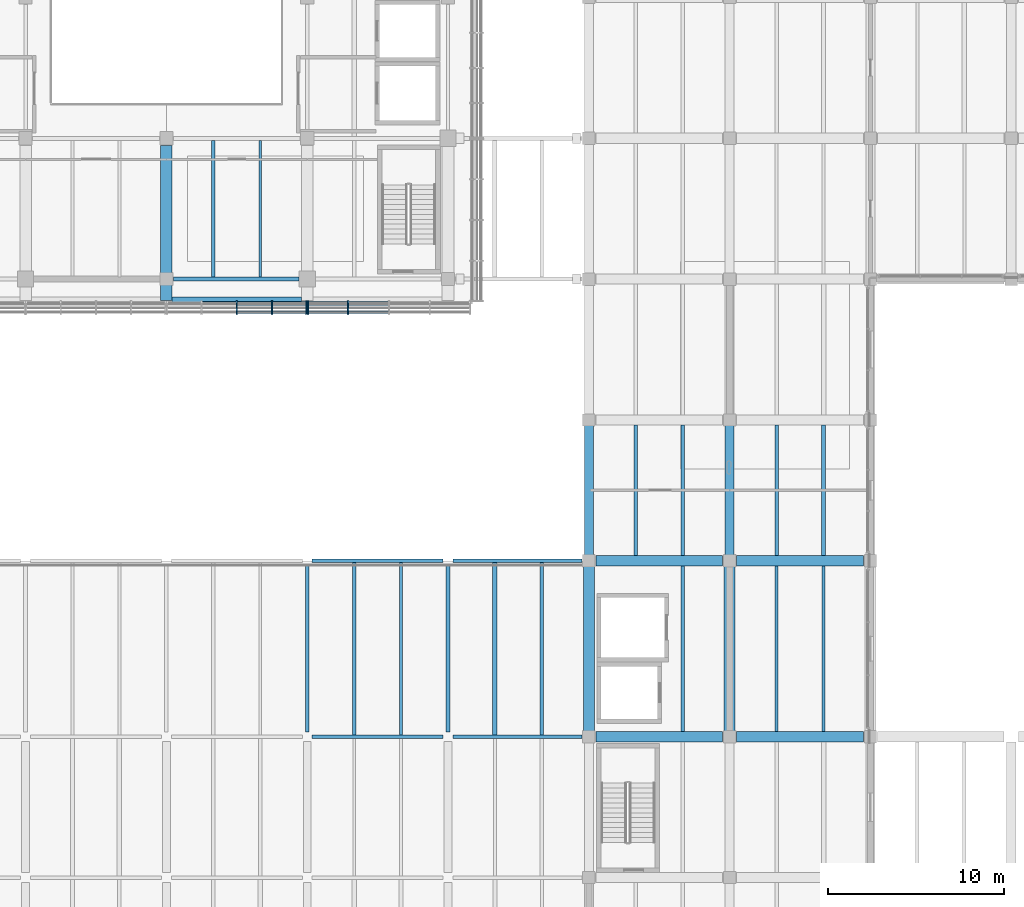
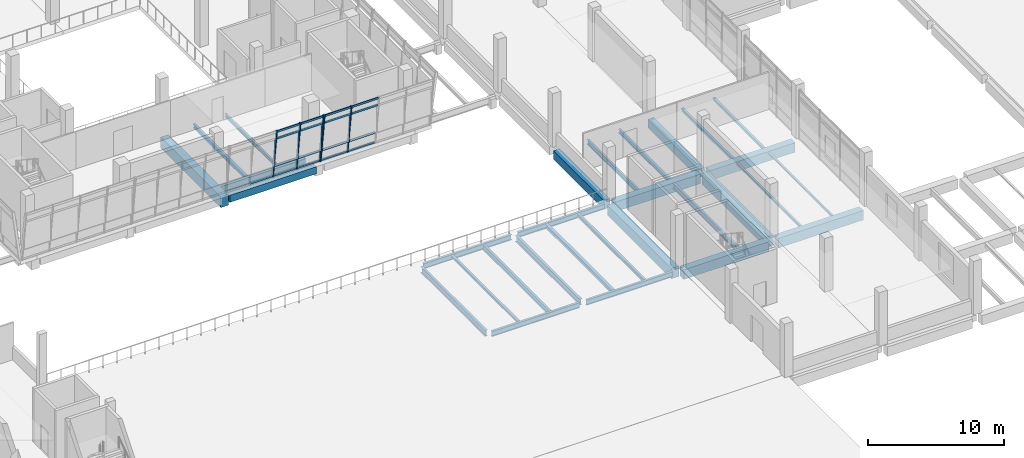
# One storey, part 11 of 52: 30 beams, 22 members, 2 elements without a shape of their own.
"""IFC4 building model written with IfcOpenShell, lengths in metres."""

import ifcopenshell
import ifcopenshell.guid

model = None  # the IFC model being written
_history = None  # IfcOwnerHistory: only IFC2X3 demands one
_inside = {}  # id of a spatial element -> (the spatial element, [elements in it])
_under = {}  # id of a project, library or spatial element -> (it, [spatial elements below it])
_declared = {}  # id of a project -> (the project, [libraries it declares])
_typed = {}  # id of a type object -> (the type object, [elements of that type])
_made_of = {}  # id of a material, layer set ... -> (it, [elements and type objects made of it])


def new_model(schema):
    """Start an empty IFC model of exactly this schema.

    Asked for "IFC4X3", IfcOpenShell would pick the latest addendum, in which some entities
    have other attributes; the version numbers below select the first issue.
    IFC2X3 requires an IfcOwnerHistory on every rooted entity: one is made here for all.
    """
    global model, _history
    if schema == "IFC4X3":
        model = ifcopenshell.file(schema_version=(4, 3, 0, 0))
    else:
        model = ifcopenshell.file(schema=schema)
    _inside.clear()
    _under.clear()
    _declared.clear()
    _typed.clear()
    _made_of.clear()
    _history = None
    if model.schema == "IFC2X3":
        org = make("IfcOrganization", Name="unknown")
        user = make(
            "IfcPersonAndOrganization",
            ThePerson=make("IfcPerson", FamilyName="unknown"),
            TheOrganization=org,
        )
        app = make(
            "IfcApplication",
            ApplicationDeveloper=org,
            Version="unknown",
            ApplicationFullName="unknown",
            ApplicationIdentifier="unknown",
        )
        _history = make(
            "IfcOwnerHistory",
            OwningUser=user,
            OwningApplication=app,
            ChangeAction="ADDED",
            CreationDate=0,
        )
    return model


def make(cls, **values):
    """One entity of the class cls with the attributes given. An attribute that is None is left unset."""
    return model.create_entity(
        cls, **{name: value for name, value in values.items() if value is not None}
    )


def rooted(cls, **values):
    """An entity with a GlobalId (a new one), such as an element, a storey or a relation."""
    return make(cls, GlobalId=ifcopenshell.guid.new(), OwnerHistory=_history, **values)


def si_unit(unit_type, name, prefix=None):
    """IfcSIUnit, for example si_unit("LENGTHUNIT", "METRE", prefix="MILLI")."""
    return make("IfcSIUnit", UnitType=unit_type, Prefix=prefix, Name=name)


def assignment(units):
    """IfcUnitAssignment: the units of a project."""
    return None if units is None else make("IfcUnitAssignment", Units=units)


def point(xyz):
    """IfcCartesianPoint."""
    return None if xyz is None else make("IfcCartesianPoint", Coordinates=xyz)


def direction(xyz):
    """IfcDirection."""
    return None if xyz is None else make("IfcDirection", DirectionRatios=xyz)


def frame(location, z_axis=None, x_axis=None):
    """IfcAxis2Placement3D, a coordinate frame: its origin and axes. An axis left out is left unset."""
    return make(
        "IfcAxis2Placement3D",
        Location=point(location),
        Axis=direction(z_axis),
        RefDirection=direction(x_axis),
    )


def frame_2d(location, x_axis=None):
    """IfcAxis2Placement2D, a coordinate frame in the plane: its origin and x axis."""
    return make(
        "IfcAxis2Placement2D", Location=point(location), RefDirection=direction(x_axis)
    )


def origin():
    """The frame at (0, 0, 0) with its axes left unset."""
    return frame((0.0, 0.0, 0.0))


def origin_2d():
    """The frame at (0, 0) in the plane with its x axis left unset."""
    return frame_2d((0.0, 0.0))


def place(relative_to, where):
    """IfcLocalPlacement: puts the frame where relative to a parent placement (None: the world)."""
    return make(
        "IfcLocalPlacement", PlacementRelTo=relative_to, RelativePlacement=where
    )


def context(
    kind, dimensions, precision=None, world=None, true_north=None, identifier=None
):
    """IfcGeometricRepresentationContext, for example the 3D "Model" context."""
    return make(
        "IfcGeometricRepresentationContext",
        ContextIdentifier=identifier,
        ContextType=kind,
        CoordinateSpaceDimension=dimensions,
        Precision=precision,
        WorldCoordinateSystem=world,
        TrueNorth=true_north,
    )


def subcontext(parent, identifier, kind, view, scale=None):
    """IfcGeometricRepresentationSubContext, for example "Body" below "Model"."""
    return make(
        "IfcGeometricRepresentationSubContext",
        ContextIdentifier=identifier,
        ContextType=kind,
        ParentContext=parent,
        TargetScale=scale,
        TargetView=view,
    )


def project(units=None, contexts=None):
    """IfcProject with its units and contexts."""
    return rooted(
        "IfcProject",
        Name="project",
        RepresentationContexts=contexts,
        UnitsInContext=assignment(units),
    )


def spatial(cls, under=None, at=None, **own):
    """A site, building, storey or space (cls), placed at a placement, below another one or the project."""
    s = rooted(cls, ObjectPlacement=at, **own)
    if under is not None:
        _under.setdefault(under.id(), (under, []))[1].append(s)
    return s


def profile(cls, at=None, kind="AREA", **sizes):
    """A parametric profile (cls). Its sizes go by their IFC names, for example OverallWidth=200.0."""
    return make(cls, ProfileType=kind, Position=at, **sizes)


def rectangle(**sizes):
    """IfcRectangleProfileDef."""
    return profile("IfcRectangleProfileDef", **sizes)


def i_section(**sizes):
    """IfcIShapeProfileDef."""
    return profile("IfcIShapeProfileDef", **sizes)


def extrude(swept, where, along, depth):
    """IfcExtrudedAreaSolid: the profile swept, set in the frame where, extruded along a direction by depth."""
    return make(
        "IfcExtrudedAreaSolid",
        SweptArea=swept,
        Position=where,
        ExtrudedDirection=direction(along),
        Depth=depth,
    )


def shape(context_of_items, identifier, shape_type, items):
    """IfcShapeRepresentation: the items that make up one representation, for example the "Body"."""
    return make(
        "IfcShapeRepresentation",
        ContextOfItems=context_of_items,
        RepresentationIdentifier=identifier,
        RepresentationType=shape_type,
        Items=items,
    )


def material(Name=None, Category=None):
    """IfcMaterial."""
    return make("IfcMaterial", Name=Name, Category=Category)


def material_profile(
    of_material, cross_section, Name=None, Category=None, Priority=None
):
    """IfcMaterialProfile: a cross section and its material."""
    return make(
        "IfcMaterialProfile",
        Name=Name,
        Material=of_material,
        Profile=cross_section,
        Priority=Priority,
        Category=Category,
    )


def profile_set(profiles, Name=None, composite=None):
    """IfcMaterialProfileSet."""
    return make(
        "IfcMaterialProfileSet",
        Name=Name,
        MaterialProfiles=profiles,
        CompositeProfile=composite,
    )


def made_of(thing, what):
    """Note that an element or type object is made of a material, layer set ...; save() writes the relation."""
    if what is not None:
        _made_of.setdefault(what.id(), (what, []))[1].append(thing)
    return thing


def type_object(cls, material=None, **own):
    """A type object (cls), such as IfcWallType, which elements share."""
    return made_of(rooted(cls, **own), material)


def element(
    cls,
    number,
    at=None,
    inside=None,
    cuts=None,
    type_object=None,
    material=None,
    context=None,
    identifier="Body",
    shape_type=None,
    held_by="IfcProductDefinitionShape",
    body=None,
    shapes=None,
    **own,
):
    """One element of the class cls, such as IfcWall. Its Tag is "e" and its number.

    at: its placement. inside: the storey or other place that contains it. cuts: it is an
    opening in that element (IfcRelVoidsElement). A single representation is given by context,
    identifier, shape_type and body (its items); several are given by shapes. held_by: the class
    of the entity that holds the representations. save() writes the other relations.
    """
    e = rooted(cls, Tag="e%d" % number, ObjectPlacement=at, **own)
    if body is not None:
        shapes = [shape(context, identifier, shape_type, body)]
    if shapes is not None:
        e.Representation = make(held_by, Representations=shapes)
    if inside is not None:
        _inside.setdefault(inside.id(), (inside, []))[1].append(e)
    if cuts is not None:
        rooted(
            "IfcRelVoidsElement", RelatingBuildingElement=cuts, RelatedOpeningElement=e
        )
    if type_object is not None:
        _typed.setdefault(type_object.id(), (type_object, []))[1].append(e)
    return made_of(e, material)


def aggregate(whole, parts):
    """IfcRelAggregates: a whole, such as a stair, and the parts it consists of."""
    return rooted("IfcRelAggregates", RelatingObject=whole, RelatedObjects=parts)


def save(model, path):
    """Write the relations noted so far, then the file.

    IfcRelAggregates (storeys below a building ...), IfcRelContainedInSpatialStructure (elements
    in a storey), IfcRelDefinesByType, IfcRelAssociatesMaterial and IfcRelDeclares: one each for
    every whole, place, type object, material and project.
    """
    for whole, parts in _under.values():
        aggregate(whole, parts)
    for where, things in _inside.values():
        rooted(
            "IfcRelContainedInSpatialStructure",
            RelatedElements=things,
            RelatingStructure=where,
        )
    for kind, things in _typed.values():
        rooted("IfcRelDefinesByType", RelatedObjects=things, RelatingType=kind)
    for what, things in _made_of.values():
        rooted("IfcRelAssociatesMaterial", RelatedObjects=things, RelatingMaterial=what)
    for by, libraries in _declared.values():
        rooted("IfcRelDeclares", RelatingContext=by, RelatedDefinitions=libraries)
    model.write(path)


model = new_model("IFC4")

# Units and contexts
model_context = context("Model", 3, precision=1e-05, world=origin(), true_north=direction((0.0, 1.0)))
body_context = subcontext(model_context, "Body", "Model", "MODEL_VIEW")
ifc_project = project(units=[si_unit("LENGTHUNIT", "METRE"), si_unit("AREAUNIT", "SQUARE_METRE"), si_unit("VOLUMEUNIT", "CUBIC_METRE"), si_unit("PLANEANGLEUNIT", "RADIAN"), si_unit("MASSUNIT", "GRAM", prefix="KILO")], contexts=[model_context])

# Site, building, storey
site_placement = place(None, origin())
site = spatial("IfcSite", under=ifc_project, at=site_placement, CompositionType="ELEMENT")
building_placement = place(site_placement, origin())
building = spatial("IfcBuilding", under=site, at=building_placement, Name="Pecanmere Concourse Central Library", CompositionType="ELEMENT")
storey_placement = place(building_placement, frame((0.0, 0.0, 10.5)))
storey = spatial("IfcBuildingStorey", under=building, at=storey_placement, Name="L03", CompositionType="ELEMENT", Elevation=10.5)

# Curtain wall, members
ifc_material_1 = material(Name="Anodized bronze aluminium alloy 6063-T6", Category="aluminium")
curtain_wall_type = type_object("IfcCurtainWallType", Name="CW_LEAN_BANDED", PredefinedType="USERDEFINED", material=ifc_material_1)
curtain_wall_1_placement = place(storey_placement, origin())
curtain_wall_1 = element("IfcCurtainWall", 1, at=curtain_wall_1_placement, inside=storey, type_object=curtain_wall_type, Name="Unitised Curtain Wall CW-01 L03-028", ObjectType="UNITISED CURTAIN WALL", PredefinedType="USERDEFINED")
ifc_material_2 = material(Name="Anodized bronze aluminium alloy 6063-T6", Category="aluminium")
ifc_material_profile_1 = material_profile(ifc_material_2, rectangle(XDim=0.074951171875, YDim=0.199951171875, at=origin_2d()), Name="AL 75x200")
ifc_profile_set_1 = profile_set([ifc_material_profile_1], Name="Anodized bronze aluminium alloy 6063-T6")
member_type_1 = type_object("IfcMemberType", Name="CWM_200x75", PredefinedType="MULLION", material=ifc_profile_set_1)
member_1_placement = place(storey_placement, frame((92.0, 88.678955078125, 0.0), z_axis=(0.0, -0.132234484848, 0.991218462811), x_axis=(1.0, 0.0, 0.0)))
member_1 = element("IfcMember", 2, at=member_1_placement, type_object=member_type_1, Name="CW-01 Mullion 3", PredefinedType="MULLION", context=body_context, shape_type="SweptSolid", body=[
    extrude(rectangle(XDim=0.074951171875, YDim=0.199951171875, at=origin_2d()), origin(), (0.0, 0.0, 1.0), 4.519775390625),
])
member_2_placement = place(storey_placement, frame((93.99755859375, 88.678955078125, 0.0), z_axis=(0.0, -0.132234484848, 0.991218462811), x_axis=(1.0, 0.0, 0.0)))
member_2 = element("IfcMember", 3, at=member_2_placement, type_object=member_type_1, Name="CW-01 Mullion 4", PredefinedType="MULLION", context=body_context, shape_type="SweptSolid", body=[
    extrude(rectangle(XDim=0.074951171875, YDim=0.199951171875, at=origin_2d()), origin(), (0.0, 0.0, 1.0), 4.519775390625),
])
member_3_placement = place(storey_placement, frame((95.95751953125, 88.678955078125, 0.0), z_axis=(0.0, -0.132234484848, 0.991218462811), x_axis=(1.0, 0.0, 0.0)))
member_3 = element("IfcMember", 4, at=member_3_placement, type_object=member_type_1, Name="CW-01 Mullion 5", PredefinedType="MULLION", context=body_context, shape_type="SweptSolid", body=[
    extrude(rectangle(XDim=0.074951171875, YDim=0.199951171875, at=origin_2d()), origin(), (0.0, 0.0, 1.0), 4.519775390625),
])

curtain_wall_2_placement = place(storey_placement, origin())
curtain_wall_2 = element("IfcCurtainWall", 5, at=curtain_wall_2_placement, inside=storey, type_object=curtain_wall_type, Name="Unitised Curtain Wall CW-01 L03-029", ObjectType="UNITISED CURTAIN WALL", PredefinedType="USERDEFINED")
member_4_placement = place(storey_placement, frame((96.04248046875, 88.678955078125, 0.0), z_axis=(0.0, -0.132234484848, 0.991218462811), x_axis=(1.0, 0.0, 0.0)))
member_4 = element("IfcMember", 6, at=member_4_placement, type_object=member_type_1, Name="CW-01 Mullion 1", PredefinedType="MULLION", context=body_context, shape_type="SweptSolid", body=[
    extrude(rectangle(XDim=0.074951171875, YDim=0.199951171875, at=origin_2d()), origin(), (0.0, 0.0, 1.0), 4.519775390625),
])
member_5_placement = place(storey_placement, frame((98.323974609375, 88.678955078125, 0.0), z_axis=(0.0, -0.132234484848, 0.991218462811), x_axis=(1.0, 0.0, 0.0)))
member_5 = element("IfcMember", 7, at=member_5_placement, type_object=member_type_1, Name="CW-01 Mullion 2", PredefinedType="MULLION", context=body_context, shape_type="SweptSolid", body=[
    extrude(rectangle(XDim=0.074951171875, YDim=0.199951171875, at=origin_2d()), origin(), (0.0, 0.0, 1.0), 4.519775390625),
])

# Member
ifc_material_3 = material(Name="Anodized bronze aluminium alloy 6063-T6", Category="aluminium")
ifc_material_profile_2 = material_profile(ifc_material_3, rectangle(XDim=0.06494140625, YDim=0.179931640625, at=origin_2d()), Name="AL 65x180")
ifc_profile_set_2 = profile_set([ifc_material_profile_2], Name="Anodized bronze aluminium alloy 6063-T6")
member_type_2 = type_object("IfcMemberType", Name="CWT_180x65", PredefinedType="USERDEFINED", material=ifc_profile_set_2)
member_6_placement = place(storey_placement, frame((90.0400390625, 88.6669921875, 0.090087890625), z_axis=(1.0, 0.0, 0.0), x_axis=(0.0, 1.0, 0.0)))
member_6 = element("IfcMember", 8, at=member_6_placement, type_object=member_type_2, Name="CW-01 Transom 2.1", ObjectType="TRANSOM", PredefinedType="USERDEFINED", context=body_context, shape_type="SweptSolid", body=[
    extrude(rectangle(XDim=0.06494140625, YDim=0.179931640625, at=origin_2d()), origin(), (0.0, 0.0, 1.0), 1.92236328125),
])

member_7_placement = place(storey_placement, frame((92.03759765625, 88.6669921875, 0.090087890625), z_axis=(1.0, 0.0, 0.0), x_axis=(0.0, 1.0, 0.0)))
member_7 = element("IfcMember", 9, at=member_7_placement, type_object=member_type_2, Name="CW-01 Transom 3.1", ObjectType="TRANSOM", PredefinedType="USERDEFINED", context=body_context, shape_type="SweptSolid", body=[
    extrude(rectangle(XDim=0.06494140625, YDim=0.179931640625, at=origin_2d()), origin(), (0.0, 0.0, 1.0), 1.92236328125),
])

member_8_placement = place(storey_placement, frame((92.03759765625, 88.538818359375, 1.050048828125), z_axis=(1.0, 0.0, 0.0), x_axis=(0.0, 1.0, 0.0)))
member_8 = element("IfcMember", 10, at=member_8_placement, type_object=member_type_2, Name="CW-01 Transom 3.2", ObjectType="TRANSOM", PredefinedType="USERDEFINED", context=body_context, shape_type="SweptSolid", body=[
    extrude(rectangle(XDim=0.06494140625, YDim=0.179931640625, at=origin_2d()), origin(), (0.0, 0.0, 1.0), 1.92236328125),
])

member_9_placement = place(storey_placement, frame((92.03759765625, 88.181396484375, 3.72998046875), z_axis=(1.0, 0.0, 0.0), x_axis=(0.0, 1.0, 0.0)))
member_9 = element("IfcMember", 11, at=member_9_placement, type_object=member_type_2, Name="CW-01 Transom 3.3", ObjectType="TRANSOM", PredefinedType="USERDEFINED", context=body_context, shape_type="SweptSolid", body=[
    extrude(rectangle(XDim=0.06494140625, YDim=0.179931640625, at=origin_2d()), origin(), (0.0, 0.0, 1.0), 1.92236328125),
])

member_10_placement = place(storey_placement, frame((92.03759765625, 88.09326171875, 4.389892578125), z_axis=(1.0, 0.0, 0.0), x_axis=(0.0, 1.0, 0.0)))
member_10 = element("IfcMember", 12, at=member_10_placement, type_object=member_type_2, Name="CW-01 Transom 3.4", ObjectType="TRANSOM", PredefinedType="USERDEFINED", context=body_context, shape_type="SweptSolid", body=[
    extrude(rectangle(XDim=0.06494140625, YDim=0.179931640625, at=origin_2d()), origin(), (0.0, 0.0, 1.0), 1.92236328125),
])

member_11_placement = place(storey_placement, frame((94.034912109375, 88.6669921875, 0.090087890625), z_axis=(1.0, 0.0, 0.0), x_axis=(0.0, 1.0, 0.0)))
member_11 = element("IfcMember", 13, at=member_11_placement, type_object=member_type_2, Name="CW-01 Transom 4.1", ObjectType="TRANSOM", PredefinedType="USERDEFINED", context=body_context, shape_type="SweptSolid", body=[
    extrude(rectangle(XDim=0.06494140625, YDim=0.179931640625, at=origin_2d()), origin(), (0.0, 0.0, 1.0), 1.885009765625),
])

member_12_placement = place(storey_placement, frame((94.034912109375, 88.538818359375, 1.050048828125), z_axis=(1.0, 0.0, 0.0), x_axis=(0.0, 1.0, 0.0)))
member_12 = element("IfcMember", 14, at=member_12_placement, type_object=member_type_2, Name="CW-01 Transom 4.2", ObjectType="TRANSOM", PredefinedType="USERDEFINED", context=body_context, shape_type="SweptSolid", body=[
    extrude(rectangle(XDim=0.06494140625, YDim=0.179931640625, at=origin_2d()), origin(), (0.0, 0.0, 1.0), 1.885009765625),
])

member_13_placement = place(storey_placement, frame((94.034912109375, 88.181396484375, 3.72998046875), z_axis=(1.0, 0.0, 0.0), x_axis=(0.0, 1.0, 0.0)))
member_13 = element("IfcMember", 15, at=member_13_placement, type_object=member_type_2, Name="CW-01 Transom 4.3", ObjectType="TRANSOM", PredefinedType="USERDEFINED", context=body_context, shape_type="SweptSolid", body=[
    extrude(rectangle(XDim=0.06494140625, YDim=0.179931640625, at=origin_2d()), origin(), (0.0, 0.0, 1.0), 1.885009765625),
])

member_14_placement = place(storey_placement, frame((94.034912109375, 88.09326171875, 4.389892578125), z_axis=(1.0, 0.0, 0.0), x_axis=(0.0, 1.0, 0.0)))
member_14 = element("IfcMember", 16, at=member_14_placement, type_object=member_type_2, Name="CW-01 Transom 4.4", ObjectType="TRANSOM", PredefinedType="USERDEFINED", context=body_context, shape_type="SweptSolid", body=[
    extrude(rectangle(XDim=0.06494140625, YDim=0.179931640625, at=origin_2d()), origin(), (0.0, 0.0, 1.0), 1.885009765625),
])

aggregate(curtain_wall_1, [member_1, member_2, member_3, member_6, member_7, member_8, member_9, member_10, member_11, member_12, member_13, member_14])

member_15_placement = place(storey_placement, frame((96.080078125, 88.6669921875, 0.090087890625), z_axis=(1.0, 0.0, 0.0), x_axis=(0.0, 1.0, 0.0)))
member_15 = element("IfcMember", 17, at=member_15_placement, type_object=member_type_2, Name="CW-01 Transom 1.1", ObjectType="TRANSOM", PredefinedType="USERDEFINED", context=body_context, shape_type="SweptSolid", body=[
    extrude(rectangle(XDim=0.06494140625, YDim=0.179931640625, at=origin_2d()), origin(), (0.0, 0.0, 1.0), 2.20654296875),
])

member_16_placement = place(storey_placement, frame((96.080078125, 88.538818359375, 1.050048828125), z_axis=(1.0, 0.0, 0.0), x_axis=(0.0, 1.0, 0.0)))
member_16 = element("IfcMember", 18, at=member_16_placement, type_object=member_type_2, Name="CW-01 Transom 1.2", ObjectType="TRANSOM", PredefinedType="USERDEFINED", context=body_context, shape_type="SweptSolid", body=[
    extrude(rectangle(XDim=0.06494140625, YDim=0.179931640625, at=origin_2d()), origin(), (0.0, 0.0, 1.0), 2.20654296875),
])

member_17_placement = place(storey_placement, frame((96.080078125, 88.181396484375, 3.72998046875), z_axis=(1.0, 0.0, 0.0), x_axis=(0.0, 1.0, 0.0)))
member_17 = element("IfcMember", 19, at=member_17_placement, type_object=member_type_2, Name="CW-01 Transom 1.3", ObjectType="TRANSOM", PredefinedType="USERDEFINED", context=body_context, shape_type="SweptSolid", body=[
    extrude(rectangle(XDim=0.06494140625, YDim=0.179931640625, at=origin_2d()), origin(), (0.0, 0.0, 1.0), 2.20654296875),
])

member_18_placement = place(storey_placement, frame((96.080078125, 88.09326171875, 4.389892578125), z_axis=(1.0, 0.0, 0.0), x_axis=(0.0, 1.0, 0.0)))
member_18 = element("IfcMember", 20, at=member_18_placement, type_object=member_type_2, Name="CW-01 Transom 1.4", ObjectType="TRANSOM", PredefinedType="USERDEFINED", context=body_context, shape_type="SweptSolid", body=[
    extrude(rectangle(XDim=0.06494140625, YDim=0.179931640625, at=origin_2d()), origin(), (0.0, 0.0, 1.0), 2.20654296875),
])

member_19_placement = place(storey_placement, frame((98.361572265625, 88.6669921875, 0.090087890625), z_axis=(1.0, 0.0, 0.0), x_axis=(0.0, 1.0, 0.0)))
member_19 = element("IfcMember", 21, at=member_19_placement, type_object=member_type_2, Name="CW-01 Transom 2.1", ObjectType="TRANSOM", PredefinedType="USERDEFINED", context=body_context, shape_type="SweptSolid", body=[
    extrude(rectangle(XDim=0.06494140625, YDim=0.179931640625, at=origin_2d()), origin(), (0.0, 0.0, 1.0), 2.243896484375),
])

member_20_placement = place(storey_placement, frame((98.361572265625, 88.538818359375, 1.050048828125), z_axis=(1.0, 0.0, 0.0), x_axis=(0.0, 1.0, 0.0)))
member_20 = element("IfcMember", 22, at=member_20_placement, type_object=member_type_2, Name="CW-01 Transom 2.2", ObjectType="TRANSOM", PredefinedType="USERDEFINED", context=body_context, shape_type="SweptSolid", body=[
    extrude(rectangle(XDim=0.06494140625, YDim=0.179931640625, at=origin_2d()), origin(), (0.0, 0.0, 1.0), 2.243896484375),
])

member_21_placement = place(storey_placement, frame((98.361572265625, 88.181396484375, 3.72998046875), z_axis=(1.0, 0.0, 0.0), x_axis=(0.0, 1.0, 0.0)))
member_21 = element("IfcMember", 23, at=member_21_placement, type_object=member_type_2, Name="CW-01 Transom 2.3", ObjectType="TRANSOM", PredefinedType="USERDEFINED", context=body_context, shape_type="SweptSolid", body=[
    extrude(rectangle(XDim=0.06494140625, YDim=0.179931640625, at=origin_2d()), origin(), (0.0, 0.0, 1.0), 2.243896484375),
])

member_22_placement = place(storey_placement, frame((98.361572265625, 88.09326171875, 4.389892578125), z_axis=(1.0, 0.0, 0.0), x_axis=(0.0, 1.0, 0.0)))
member_22 = element("IfcMember", 24, at=member_22_placement, type_object=member_type_2, Name="CW-01 Transom 2.4", ObjectType="TRANSOM", PredefinedType="USERDEFINED", context=body_context, shape_type="SweptSolid", body=[
    extrude(rectangle(XDim=0.06494140625, YDim=0.179931640625, at=origin_2d()), origin(), (0.0, 0.0, 1.0), 2.243896484375),
])

aggregate(curtain_wall_2, [member_4, member_5, member_15, member_16, member_17, member_18, member_19, member_20, member_21, member_22])

# Beams
ifc_material_4 = material(Name="Concrete C40/50", Category="concrete")
ifc_material_profile_3 = material_profile(ifc_material_4, rectangle(XDim=0.52001953125, YDim=0.77001953125, at=origin_2d()), Name="RC 520x770")
ifc_profile_set_3 = profile_set([ifc_material_profile_3], Name="Concrete C40/50")
beam_type_1 = type_object("IfcBeamType", Name="GRD_520x770", PredefinedType="USERDEFINED", material=ifc_profile_set_3)
for number, where, z_axis, x_axis, name in (
    (25, (112.0, 74.300048828125, -0.72509765625), (0.0, 1.0, 0.0), (-1.0, 0.0, 0.0), "Primary Girder Y L03-1771"),
    (26, (120.0, 74.300048828125, -0.72509765625), (0.0, 1.0, 0.0), (-1.0, 0.0, 0.0), "Primary Girder Y L03-1778"),
):
    element("IfcBeam", number, at=place(storey_placement, frame(where, z_axis=z_axis, x_axis=x_axis)), inside=storey, type_object=beam_type_1, Name=name, ObjectType="GIRDER", PredefinedType="USERDEFINED", context=body_context, shape_type="SweptSolid", body=[
        extrude(rectangle(XDim=0.52001953125, YDim=0.77001953125, at=origin_2d()), origin(), (0.0, 0.0, 1.0), 7.39990234375),
    ])
ifc_material_5 = material(Name="Concrete C40/50", Category="concrete")
ifc_material_profile_4 = material_profile(ifc_material_5, rectangle(XDim=0.580078125, YDim=0.860107421875, at=origin_2d()), Name="RC 580x860")
ifc_profile_set_4 = profile_set([ifc_material_profile_4], Name="Concrete C40/50")
beam_type_2 = type_object("IfcBeamType", Name="GRD_580x860", PredefinedType="USERDEFINED", material=ifc_profile_set_4)
for number, where, z_axis, x_axis, name in (
    (27, (112.39990234375, 64.0, -0.77001953125), (1.0, 0.0, 0.0), (0.0, 1.0, 0.0), "Primary Girder X L03-1583"),
    (28, (120.39990234375, 64.0, -0.77001953125), (1.0, 0.0, 0.0), (0.0, 1.0, 0.0), "Primary Girder X L03-1584"),
    (29, (112.39990234375, 74.0, -0.77001953125), (1.0, 0.0, 0.0), (0.0, 1.0, 0.0), "Primary Girder X L03-1597"),
    (30, (120.39990234375, 74.0, -0.77001953125), (1.0, 0.0, 0.0), (0.0, 1.0, 0.0), "Primary Girder X L03-1598"),
):
    element("IfcBeam", number, at=place(storey_placement, frame(where, z_axis=z_axis, x_axis=x_axis)), inside=storey, type_object=beam_type_2, Name=name, ObjectType="GIRDER", PredefinedType="USERDEFINED", context=body_context, shape_type="SweptSolid", body=[
        extrude(rectangle(XDim=0.580078125, YDim=0.860107421875, at=origin_2d()), origin(), (0.0, 0.0, 1.0), 7.2001953125),
    ])
ifc_material_6 = material(Name="Concrete C40/50", Category="concrete")
ifc_material_profile_5 = material_profile(ifc_material_6, rectangle(XDim=0.6201171875, YDim=0.919921875, at=origin_2d()), Name="RC 620x920")
ifc_profile_set_5 = profile_set([ifc_material_profile_5], Name="Concrete C40/50")
beam_type_3 = type_object("IfcBeamType", Name="GRD_620x920", PredefinedType="USERDEFINED", material=ifc_profile_set_5)
for number, where, z_axis, x_axis, name in (
    (31, (112.0, 64.300048828125, -0.800048828125), (0.0, 1.0, 0.0), (-1.0, 0.0, 0.0), "Primary Girder Y L03-1770"),
    (32, (120.0, 64.300048828125, -0.800048828125), (0.0, 1.0, 0.0), (-1.0, 0.0, 0.0), "Primary Girder Y L03-1777"),
):
    element("IfcBeam", number, at=place(storey_placement, frame(where, z_axis=z_axis, x_axis=x_axis)), inside=storey, type_object=beam_type_3, Name=name, ObjectType="GIRDER", PredefinedType="USERDEFINED", context=body_context, shape_type="SweptSolid", body=[
        extrude(rectangle(XDim=0.6201171875, YDim=0.919921875, at=origin_2d()), origin(), (0.0, 0.0, 1.0), 9.39990234375),
    ])
ifc_material_7 = material(Name="Concrete C40/50", Category="concrete")
ifc_material_profile_6 = material_profile(ifc_material_7, rectangle(XDim=0.659912109375, YDim=0.97998046875, at=origin_2d()), Name="RC 660x980")
ifc_profile_set_6 = profile_set([ifc_material_profile_6], Name="Concrete C40/50")
beam_type_4 = type_object("IfcBeamType", Name="GRD_660x980", PredefinedType="USERDEFINED", material=ifc_profile_set_6)
beam_1_placement = place(storey_placement, frame((88.0, 88.7890625, -0.830078125), z_axis=(0.0, 1.0, 0.0), x_axis=(-1.0, 0.0, 0.0)))
element("IfcBeam", 33, at=beam_1_placement, inside=storey, type_object=beam_type_4, Name="Primary Girder Y L03-1746", ObjectType="GIRDER", PredefinedType="USERDEFINED", context=body_context, shape_type="SweptSolid", body=[
    extrude(rectangle(XDim=0.659912109375, YDim=0.97998046875, at=origin_2d()), origin(), (0.0, 0.0, 1.0), 8.81103515625),
])
ifc_material_8 = material(Name="Structural steel ASTM A992 Grade 50", Category="steel")
ifc_material_profile_7 = material_profile(ifc_material_8, i_section(OverallWidth=0.152099609375, OverallDepth=0.152099609375, WebThickness=0.005859375, FlangeThickness=0.006591796875, at=origin_2d()), Name="W150x22.5")
ifc_profile_set_7 = profile_set([ifc_material_profile_7], Name="Structural steel ASTM A992 Grade 50")
beam_type_5 = type_object("IfcBeamType", Name="SBM_W150x22", PredefinedType="LINTEL", material=ifc_profile_set_7)
beam_2_placement = place(storey_placement, frame((125.333251953125, 64.2900390625, -0.416015625), z_axis=(0.0, 1.0, 0.0), x_axis=(-1.0, 0.0, 0.0)))
element("IfcBeam", 34, at=beam_2_placement, inside=storey, type_object=beam_type_5, Name="Secondary Floor Joist L03-2021", PredefinedType="LINTEL", context=body_context, shape_type="SweptSolid", body=[
    extrude(i_section(OverallWidth=0.152099609375, OverallDepth=0.152099609375, WebThickness=0.005859375, FlangeThickness=0.006591796875, at=origin_2d()), origin(), (0.0, 0.0, 1.0), 9.419921875),
])
ifc_material_9 = material(Name="Structural steel ASTM A992 Grade 50", Category="steel")
ifc_material_profile_8 = material_profile(ifc_material_9, i_section(OverallWidth=0.1650390625, OverallDepth=0.200927734375, WebThickness=0.006103515625, FlangeThickness=0.01025390625, at=origin_2d()), Name="W200x35.9")
ifc_profile_set_8 = profile_set([ifc_material_profile_8], Name="Structural steel ASTM A992 Grade 50")
beam_type_6 = type_object("IfcBeamType", Name="SBM_W200x36", PredefinedType="LINTEL", material=ifc_profile_set_8)
beam_3_placement = place(storey_placement, frame((122.666748046875, 64.2900390625, -0.4404296875), z_axis=(0.0, 1.0, 0.0), x_axis=(-1.0, 0.0, 0.0)))
element("IfcBeam", 35, at=beam_3_placement, inside=storey, type_object=beam_type_6, Name="Secondary Floor Joist L03-2020", PredefinedType="LINTEL", context=body_context, shape_type="SweptSolid", body=[
    extrude(i_section(OverallWidth=0.1650390625, OverallDepth=0.200927734375, WebThickness=0.006103515625, FlangeThickness=0.01025390625, at=origin_2d()), origin(), (0.0, 0.0, 1.0), 9.419921875),
])
ifc_material_10 = material(Name="Structural steel ASTM A992 Grade 50", Category="steel")
ifc_material_profile_9 = material_profile(ifc_material_10, i_section(OverallWidth=0.2041015625, OverallDepth=0.2060546875, WebThickness=0.0078125, FlangeThickness=0.0126953125, at=origin_2d()), Name="W200x52")
ifc_profile_set_9 = profile_set([ifc_material_profile_9], Name="Structural steel ASTM A992 Grade 50")
beam_type_7 = type_object("IfcBeamType", Name="SBM_W200x52", PredefinedType="JOIST", material=ifc_profile_set_9)
beam_4_placement = place(storey_placement, frame((98.666748046875, 64.096923828125, -0.443115234375), z_axis=(0.0, 1.0, 0.0), x_axis=(-1.0, 0.0, 0.0)))
element("IfcBeam", 36, at=beam_4_placement, inside=storey, type_object=beam_type_7, Name="Secondary Floor Joist L03-1986", PredefinedType="JOIST", context=body_context, shape_type="SweptSolid", body=[
    extrude(i_section(OverallWidth=0.2041015625, OverallDepth=0.2060546875, WebThickness=0.0078125, FlangeThickness=0.0126953125, at=origin_2d()), origin(), (0.0, 0.0, 1.0), 9.80615234375),
])
beam_5_placement = place(storey_placement, frame((125.333251953125, 74.2900390625, -0.443115234375), z_axis=(0.0, 1.0, 0.0), x_axis=(-1.0, 0.0, 0.0)))
element("IfcBeam", 37, at=beam_5_placement, inside=storey, type_object=beam_type_7, Name="Secondary Floor Joist L03-2023", PredefinedType="JOIST", context=body_context, shape_type="SweptSolid", body=[
    extrude(i_section(OverallWidth=0.2041015625, OverallDepth=0.2060546875, WebThickness=0.0078125, FlangeThickness=0.0126953125, at=origin_2d()), origin(), (0.0, 0.0, 1.0), 7.419921875),
])
ifc_material_11 = material(Name="Structural steel ASTM A992 Grade 50", Category="steel")
ifc_material_profile_10 = material_profile(ifc_material_11, i_section(OverallWidth=0.201904296875, OverallDepth=0.2470703125, WebThickness=0.00732421875, FlangeThickness=0.010986328125, at=origin_2d()), Name="W250x49.1")
ifc_profile_set_10 = profile_set([ifc_material_profile_10], Name="Structural steel ASTM A992 Grade 50")
beam_type_8 = type_object("IfcBeamType", Name="SBM_W250x49", PredefinedType="JOIST", material=ifc_profile_set_10)
beam_6_placement = place(storey_placement, frame((122.666748046875, 74.2900390625, -0.46337890625), z_axis=(0.0, 1.0, 0.0), x_axis=(-1.0, 0.0, 0.0)))
element("IfcBeam", 38, at=beam_6_placement, inside=storey, type_object=beam_type_8, Name="Secondary Floor Joist L03-2022", PredefinedType="JOIST", context=body_context, shape_type="SweptSolid", body=[
    extrude(i_section(OverallWidth=0.201904296875, OverallDepth=0.2470703125, WebThickness=0.00732421875, FlangeThickness=0.010986328125, at=origin_2d()), origin(), (0.0, 0.0, 1.0), 7.419921875),
])
ifc_material_12 = material(Name="Structural steel ASTM A992 Grade 50", Category="steel")
ifc_material_profile_11 = material_profile(ifc_material_12, i_section(OverallWidth=0.1669921875, OverallDepth=0.31689453125, WebThickness=0.007568359375, FlangeThickness=0.01318359375, at=origin_2d()), Name="W310x52")
ifc_profile_set_11 = profile_set([ifc_material_profile_11], Name="Structural steel ASTM A992 Grade 50")
beam_type_9 = type_object("IfcBeamType", Name="SBM_W310x52", PredefinedType="JOIST", material=ifc_profile_set_11)
beam_7_placement = place(storey_placement, frame((93.333251953125, 90.114990234375, -0.49853515625), z_axis=(0.0, 1.0, 0.0), x_axis=(-1.0, 0.0, 0.0)))
element("IfcBeam", 39, at=beam_7_placement, inside=storey, type_object=beam_type_9, Name="Secondary Floor Joist L03-1975", PredefinedType="JOIST", context=body_context, shape_type="SweptSolid", body=[
    extrude(i_section(OverallWidth=0.1669921875, OverallDepth=0.31689453125, WebThickness=0.007568359375, FlangeThickness=0.01318359375, at=origin_2d()), origin(), (0.0, 0.0, 1.0), 7.77001953125),
])
ifc_material_13 = material(Name="Structural steel ASTM A992 Grade 50", Category="steel")
ifc_material_profile_12 = material_profile(ifc_material_13, i_section(OverallWidth=0.205078125, OverallDepth=0.31005859375, WebThickness=0.009521484375, FlangeThickness=0.016357421875, at=origin_2d()), Name="W310x74")
ifc_profile_set_12 = profile_set([ifc_material_profile_12], Name="Structural steel ASTM A992 Grade 50")
beam_type_10 = type_object("IfcBeamType", Name="SBM_W310x74", PredefinedType="BEAM", material=ifc_profile_set_12)
beam_8_placement = place(storey_placement, frame((109.333251953125, 64.096923828125, -0.4951171875), z_axis=(0.0, 1.0, 0.0), x_axis=(-1.0, 0.0, 0.0)))
element("IfcBeam", 40, at=beam_8_placement, inside=storey, type_object=beam_type_10, Name="Secondary Floor Joist L03-2001", PredefinedType="BEAM", context=body_context, shape_type="SweptSolid", body=[
    extrude(i_section(OverallWidth=0.205078125, OverallDepth=0.31005859375, WebThickness=0.009521484375, FlangeThickness=0.016357421875, at=origin_2d()), origin(), (0.0, 0.0, 1.0), 9.80615234375),
])
ifc_material_14 = material(Name="Structural steel ASTM A992 Grade 50", Category="steel")
ifc_material_profile_13 = material_profile(ifc_material_14, i_section(OverallWidth=0.202880859375, OverallDepth=0.346923828125, WebThickness=0.0078125, FlangeThickness=0.013427734375, at=origin_2d()), Name="W360x64")
ifc_profile_set_13 = profile_set([ifc_material_profile_13], Name="Structural steel ASTM A992 Grade 50")
beam_type_11 = type_object("IfcBeamType", Name="SBM_W360x64", PredefinedType="JOIST", material=ifc_profile_set_13)
beam_9_placement = place(storey_placement, frame((90.666748046875, 90.114990234375, -0.513427734375), z_axis=(0.0, 1.0, 0.0), x_axis=(-1.0, 0.0, 0.0)))
element("IfcBeam", 41, at=beam_9_placement, inside=storey, type_object=beam_type_11, Name="Secondary Floor Joist L03-1974", PredefinedType="JOIST", context=body_context, shape_type="SweptSolid", body=[
    extrude(i_section(OverallWidth=0.202880859375, OverallDepth=0.346923828125, WebThickness=0.0078125, FlangeThickness=0.013427734375, at=origin_2d()), origin(), (0.0, 0.0, 1.0), 7.77001953125),
])
beam_10_placement = place(storey_placement, frame((117.333251953125, 74.2900390625, -0.513427734375), z_axis=(0.0, 1.0, 0.0), x_axis=(-1.0, 0.0, 0.0)))
element("IfcBeam", 42, at=beam_10_placement, inside=storey, type_object=beam_type_11, Name="Secondary Floor Joist L03-2009", PredefinedType="JOIST", context=body_context, shape_type="SweptSolid", body=[
    extrude(i_section(OverallWidth=0.202880859375, OverallDepth=0.346923828125, WebThickness=0.0078125, FlangeThickness=0.013427734375, at=origin_2d()), origin(), (0.0, 0.0, 1.0), 7.419921875),
])
ifc_material_15 = material(Name="Structural steel ASTM A992 Grade 50", Category="steel")
ifc_material_profile_14 = material_profile(ifc_material_15, i_section(OverallWidth=0.25390625, OverallDepth=0.35302734375, WebThickness=0.009521484375, FlangeThickness=0.016357421875, at=origin_2d()), Name="W360x91")
ifc_profile_set_14 = profile_set([ifc_material_profile_14], Name="Structural steel ASTM A992 Grade 50")
beam_type_12 = type_object("IfcBeamType", Name="SBM_W360x91", PredefinedType="BEAM", material=ifc_profile_set_14)
beam_11_placement = place(storey_placement, frame((106.666748046875, 64.096923828125, -0.5166015625), z_axis=(0.0, 1.0, 0.0), x_axis=(-1.0, 0.0, 0.0)))
element("IfcBeam", 43, at=beam_11_placement, inside=storey, type_object=beam_type_12, Name="Secondary Floor Joist L03-2000", PredefinedType="BEAM", context=body_context, shape_type="SweptSolid", body=[
    extrude(i_section(OverallWidth=0.25390625, OverallDepth=0.35302734375, WebThickness=0.009521484375, FlangeThickness=0.016357421875, at=origin_2d()), origin(), (0.0, 0.0, 1.0), 9.80615234375),
])
ifc_material_16 = material(Name="Structural steel ASTM A992 Grade 50", Category="steel")
ifc_material_profile_15 = material_profile(ifc_material_16, i_section(OverallWidth=0.177978515625, OverallDepth=0.406982421875, WebThickness=0.0078125, FlangeThickness=0.0126953125, at=origin_2d()), Name="W410x60")
ifc_profile_set_15 = profile_set([ifc_material_profile_15], Name="Structural steel ASTM A992 Grade 50")
beam_type_13 = type_object("IfcBeamType", Name="SBM_W410x60", PredefinedType="JOIST", material=ifc_profile_set_15)
beam_12_placement = place(storey_placement, frame((114.666748046875, 74.2900390625, -0.54345703125), z_axis=(0.0, 1.0, 0.0), x_axis=(-1.0, 0.0, 0.0)))
element("IfcBeam", 44, at=beam_12_placement, inside=storey, type_object=beam_type_13, Name="Secondary Floor Joist L03-2008", PredefinedType="JOIST", context=body_context, shape_type="SweptSolid", body=[
    extrude(i_section(OverallWidth=0.177978515625, OverallDepth=0.406982421875, WebThickness=0.0078125, FlangeThickness=0.0126953125, at=origin_2d()), origin(), (0.0, 0.0, 1.0), 7.419921875),
])
ifc_material_17 = material(Name="Structural steel ASTM A992 Grade 50", Category="steel")
ifc_material_profile_16 = material_profile(ifc_material_17, i_section(OverallWidth=0.194091796875, OverallDepth=0.468994140625, WebThickness=0.0126953125, FlangeThickness=0.0205078125, at=origin_2d()), Name="W460x106")
ifc_profile_set_16 = profile_set([ifc_material_profile_16], Name="Structural steel ASTM A992 Grade 50")
beam_type_14 = type_object("IfcBeamType", Name="SBM_W460x106", PredefinedType="USERDEFINED", material=ifc_profile_set_16)
beam_13_placement = place(storey_placement, frame((96.280029296875, 64.0, -0.574462890625), z_axis=(1.0, 0.0, 0.0), x_axis=(0.0, 1.0, 0.0)))
element("IfcBeam", 45, at=beam_13_placement, inside=storey, type_object=beam_type_14, Name="Primary Girder X L03-1581", ObjectType="GIRDER", PredefinedType="USERDEFINED", context=body_context, shape_type="SweptSolid", body=[
    extrude(i_section(OverallWidth=0.194091796875, OverallDepth=0.468994140625, WebThickness=0.0126953125, FlangeThickness=0.0205078125, at=origin_2d()), origin(), (0.0, 0.0, 1.0), 7.43994140625),
])
beam_14_placement = place(storey_placement, frame((104.280029296875, 64.0, -0.574462890625), z_axis=(1.0, 0.0, 0.0), x_axis=(0.0, 1.0, 0.0)))
element("IfcBeam", 46, at=beam_14_placement, inside=storey, type_object=beam_type_14, Name="Primary Girder X L03-1582", ObjectType="GIRDER", PredefinedType="USERDEFINED", context=body_context, shape_type="SweptSolid", body=[
    extrude(i_section(OverallWidth=0.194091796875, OverallDepth=0.468994140625, WebThickness=0.0126953125, FlangeThickness=0.0205078125, at=origin_2d()), origin(), (0.0, 0.0, 1.0), 7.320068359375),
])
beam_15_placement = place(storey_placement, frame((96.280029296875, 74.0, -0.574462890625), z_axis=(1.0, 0.0, 0.0), x_axis=(0.0, 1.0, 0.0)))
element("IfcBeam", 47, at=beam_15_placement, inside=storey, type_object=beam_type_14, Name="Primary Girder X L03-1595", ObjectType="GIRDER", PredefinedType="USERDEFINED", context=body_context, shape_type="SweptSolid", body=[
    extrude(i_section(OverallWidth=0.194091796875, OverallDepth=0.468994140625, WebThickness=0.0126953125, FlangeThickness=0.0205078125, at=origin_2d()), origin(), (0.0, 0.0, 1.0), 7.43994140625),
])
beam_16_placement = place(storey_placement, frame((104.280029296875, 74.0, -0.574462890625), z_axis=(1.0, 0.0, 0.0), x_axis=(0.0, 1.0, 0.0)))
element("IfcBeam", 48, at=beam_16_placement, inside=storey, type_object=beam_type_14, Name="Primary Girder X L03-1596", ObjectType="GIRDER", PredefinedType="USERDEFINED", context=body_context, shape_type="SweptSolid", body=[
    extrude(i_section(OverallWidth=0.194091796875, OverallDepth=0.468994140625, WebThickness=0.0126953125, FlangeThickness=0.0205078125, at=origin_2d()), origin(), (0.0, 0.0, 1.0), 7.320068359375),
])
beam_17_placement = place(storey_placement, frame((117.333251953125, 64.2900390625, -0.574462890625), z_axis=(0.0, 1.0, 0.0), x_axis=(-1.0, 0.0, 0.0)))
element("IfcBeam", 49, at=beam_17_placement, inside=storey, type_object=beam_type_14, Name="Secondary Floor Joist L03-2007", ObjectType="GIRDER", PredefinedType="USERDEFINED", context=body_context, shape_type="SweptSolid", body=[
    extrude(i_section(OverallWidth=0.194091796875, OverallDepth=0.468994140625, WebThickness=0.0126953125, FlangeThickness=0.0205078125, at=origin_2d()), origin(), (0.0, 0.0, 1.0), 9.419921875),
])
ifc_material_18 = material(Name="Structural steel ASTM A992 Grade 50", Category="steel")
ifc_material_profile_17 = material_profile(ifc_material_18, i_section(OverallWidth=0.18994140625, OverallDepth=0.45703125, WebThickness=0.009033203125, FlangeThickness=0.014404296875, at=origin_2d()), Name="W460x74")
ifc_profile_set_17 = profile_set([ifc_material_profile_17], Name="Structural steel ASTM A992 Grade 50")
beam_type_15 = type_object("IfcBeamType", Name="SBM_W460x74", PredefinedType="BEAM", material=ifc_profile_set_17)
beam_18_placement = place(storey_placement, frame((101.333251953125, 64.096923828125, -0.568603515625), z_axis=(0.0, 1.0, 0.0), x_axis=(-1.0, 0.0, 0.0)))
element("IfcBeam", 50, at=beam_18_placement, inside=storey, type_object=beam_type_15, Name="Secondary Floor Joist L03-1987", PredefinedType="BEAM", context=body_context, shape_type="SweptSolid", body=[
    extrude(i_section(OverallWidth=0.18994140625, OverallDepth=0.45703125, WebThickness=0.009033203125, FlangeThickness=0.014404296875, at=origin_2d()), origin(), (0.0, 0.0, 1.0), 9.80615234375),
])
ifc_material_19 = material(Name="Structural steel ASTM A992 Grade 50", Category="steel")
ifc_material_profile_18 = material_profile(ifc_material_19, i_section(OverallWidth=0.2109375, OverallDepth=0.5390625, WebThickness=0.01171875, FlangeThickness=0.018798828125, at=origin_2d()), Name="W530x109")
ifc_profile_set_18 = profile_set([ifc_material_profile_18], Name="Structural steel ASTM A992 Grade 50")
beam_type_16 = type_object("IfcBeamType", Name="SBM_W530x109", PredefinedType="USERDEFINED", material=ifc_profile_set_18)
for number, where, z_axis, x_axis, name in (
    (51, (96.0, 64.280029296875, -0.609619140625), (0.0, 1.0, 0.0), (-1.0, 0.0, 0.0), "Primary Girder Y L03-1752"),
    (52, (104.0, 64.280029296875, -0.609619140625), (0.0, 1.0, 0.0), (-1.0, 0.0, 0.0), "Primary Girder Y L03-1761"),
):
    element("IfcBeam", number, at=place(storey_placement, frame(where, z_axis=z_axis, x_axis=x_axis)), inside=storey, type_object=beam_type_16, Name=name, ObjectType="GIRDER", PredefinedType="USERDEFINED", context=body_context, shape_type="SweptSolid", body=[
        extrude(i_section(OverallWidth=0.2109375, OverallDepth=0.5390625, WebThickness=0.01171875, FlangeThickness=0.018798828125, at=origin_2d()), origin(), (0.0, 0.0, 1.0), 9.43994140625),
    ])
ifc_material_20 = material(Name="Structural steel ASTM A992 Grade 50", Category="steel")
ifc_material_profile_19 = material_profile(ifc_material_20, i_section(OverallWidth=0.22998046875, OverallDepth=0.616943359375, WebThickness=0.01318359375, FlangeThickness=0.022216796875, at=origin_2d()), Name="W610x140")
ifc_profile_set_19 = profile_set([ifc_material_profile_19], Name="Structural steel ASTM A992 Grade 50")
beam_type_17 = type_object("IfcBeamType", Name="SBM_W610x140", PredefinedType="USERDEFINED", material=ifc_profile_set_19)
beam_19_placement = place(storey_placement, frame((88.39990234375, 90.0, -0.6484375), z_axis=(1.0, 0.0, 0.0), x_axis=(0.0, 1.0, 0.0)))
element("IfcBeam", 53, at=beam_19_placement, inside=storey, type_object=beam_type_17, Name="Primary Girder X L03-1614", ObjectType="GIRDER", PredefinedType="USERDEFINED", context=body_context, shape_type="SweptSolid", body=[
    extrude(i_section(OverallWidth=0.22998046875, OverallDepth=0.616943359375, WebThickness=0.01318359375, FlangeThickness=0.022216796875, at=origin_2d()), origin(), (0.0, 0.0, 1.0), 7.14013671875),
])
ifc_material_21 = material(Name="Concrete C40/50", Category="concrete")
ifc_material_profile_20 = material_profile(ifc_material_21, rectangle(XDim=0.3798828125, YDim=0.639892578125, at=origin_2d()), Name="RC 380x640")
ifc_profile_set_20 = profile_set([ifc_material_profile_20], Name="Concrete C40/50")
beam_type_18 = type_object("IfcBeamType", Name="SPB_380x640", PredefinedType="BEAM", material=ifc_profile_set_20)
beam_20_placement = place(storey_placement, frame((88.330078125, 88.7890625, -0.659912109375), z_axis=(1.0, 0.0, 0.0), x_axis=(0.0, 1.0, 0.0)))
element("IfcBeam", 54, at=beam_20_placement, inside=storey, type_object=beam_type_18, Name="Leaning Facade Edge Beam L03-1837", PredefinedType="BEAM", context=body_context, shape_type="SweptSolid", body=[
    extrude(rectangle(XDim=0.3798828125, YDim=0.639892578125, at=origin_2d()), origin(), (0.0, 0.0, 1.0), 7.33984375),
])

save(model, "model.ifc")
